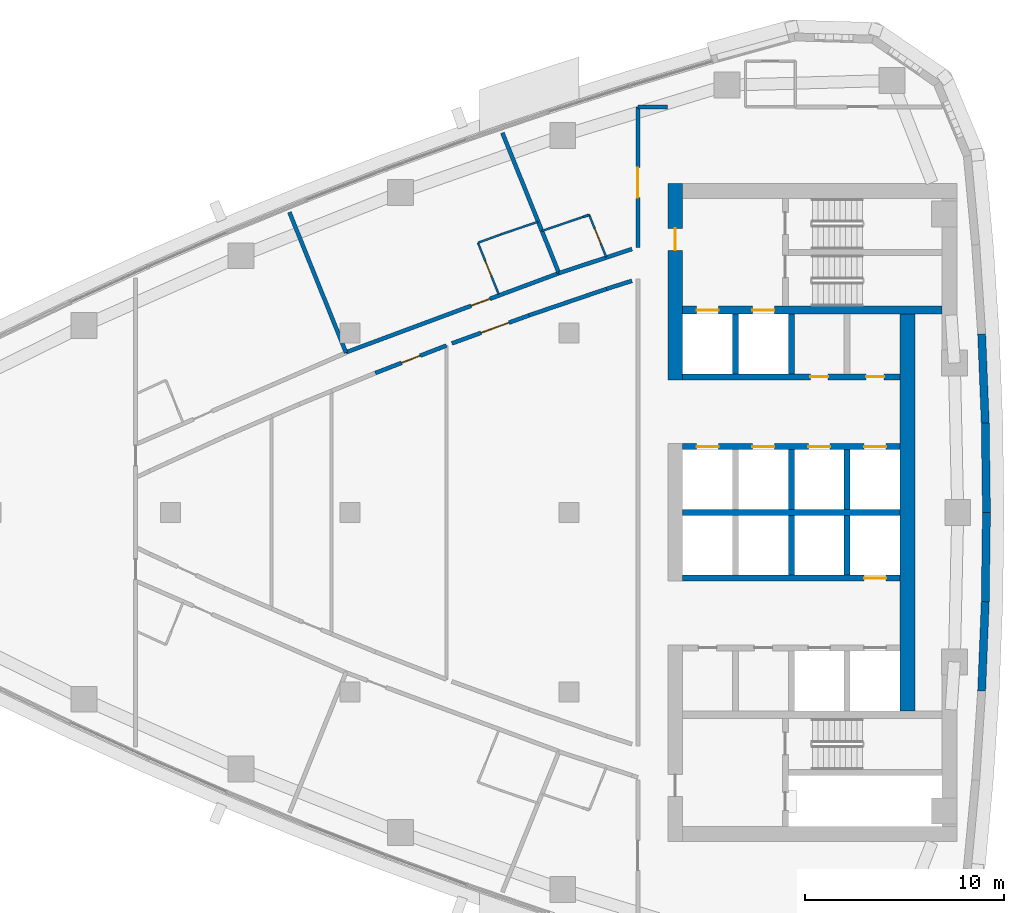
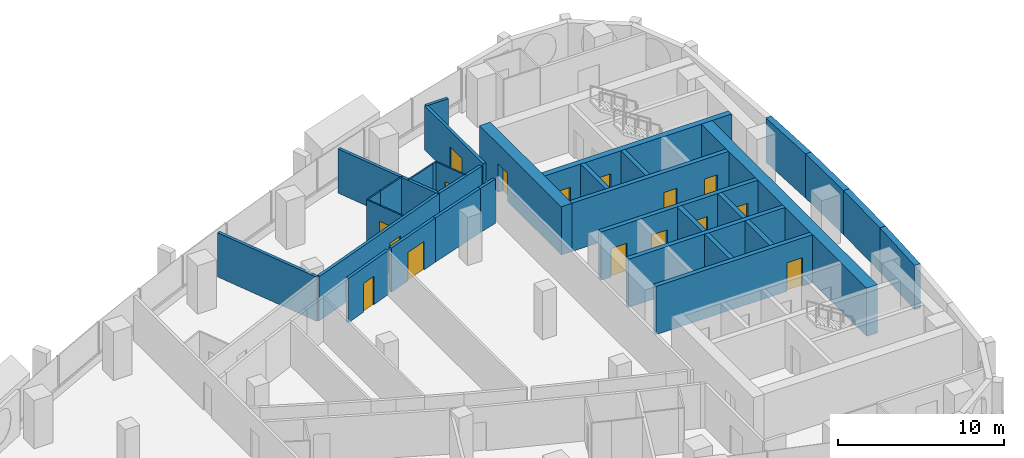
# One storey, part 11 of 16: 33 walls, 16 doors, 16 openings.
"""IFC4 building model written with IfcOpenShell, lengths in metres."""

import ifcopenshell
import ifcopenshell.guid

model = None  # the IFC model being written
_history = None  # IfcOwnerHistory: only IFC2X3 demands one
_inside = {}  # id of a spatial element -> (the spatial element, [elements in it])
_under = {}  # id of a project, library or spatial element -> (it, [spatial elements below it])
_declared = {}  # id of a project -> (the project, [libraries it declares])
_typed = {}  # id of a type object -> (the type object, [elements of that type])
_made_of = {}  # id of a material, layer set ... -> (it, [elements and type objects made of it])


def new_model(schema):
    """Start an empty IFC model of exactly this schema.

    Asked for "IFC4X3", IfcOpenShell would pick the latest addendum, in which some entities
    have other attributes; the version numbers below select the first issue.
    IFC2X3 requires an IfcOwnerHistory on every rooted entity: one is made here for all.
    """
    global model, _history
    if schema == "IFC4X3":
        model = ifcopenshell.file(schema_version=(4, 3, 0, 0))
    else:
        model = ifcopenshell.file(schema=schema)
    _inside.clear()
    _under.clear()
    _declared.clear()
    _typed.clear()
    _made_of.clear()
    _history = None
    if model.schema == "IFC2X3":
        org = make("IfcOrganization", Name="unknown")
        user = make(
            "IfcPersonAndOrganization",
            ThePerson=make("IfcPerson", FamilyName="unknown"),
            TheOrganization=org,
        )
        app = make(
            "IfcApplication",
            ApplicationDeveloper=org,
            Version="unknown",
            ApplicationFullName="unknown",
            ApplicationIdentifier="unknown",
        )
        _history = make(
            "IfcOwnerHistory",
            OwningUser=user,
            OwningApplication=app,
            ChangeAction="ADDED",
            CreationDate=0,
        )
    return model


def make(cls, **values):
    """One entity of the class cls with the attributes given. An attribute that is None is left unset."""
    return model.create_entity(
        cls, **{name: value for name, value in values.items() if value is not None}
    )


def rooted(cls, **values):
    """An entity with a GlobalId (a new one), such as an element, a storey or a relation."""
    return make(cls, GlobalId=ifcopenshell.guid.new(), OwnerHistory=_history, **values)


def si_unit(unit_type, name, prefix=None):
    """IfcSIUnit, for example si_unit("LENGTHUNIT", "METRE", prefix="MILLI")."""
    return make("IfcSIUnit", UnitType=unit_type, Prefix=prefix, Name=name)


def assignment(units):
    """IfcUnitAssignment: the units of a project."""
    return None if units is None else make("IfcUnitAssignment", Units=units)


def point(xyz):
    """IfcCartesianPoint."""
    return None if xyz is None else make("IfcCartesianPoint", Coordinates=xyz)


def direction(xyz):
    """IfcDirection."""
    return None if xyz is None else make("IfcDirection", DirectionRatios=xyz)


def frame(location, z_axis=None, x_axis=None):
    """IfcAxis2Placement3D, a coordinate frame: its origin and axes. An axis left out is left unset."""
    return make(
        "IfcAxis2Placement3D",
        Location=point(location),
        Axis=direction(z_axis),
        RefDirection=direction(x_axis),
    )


def frame_2d(location, x_axis=None):
    """IfcAxis2Placement2D, a coordinate frame in the plane: its origin and x axis."""
    return make(
        "IfcAxis2Placement2D", Location=point(location), RefDirection=direction(x_axis)
    )


def origin():
    """The frame at (0, 0, 0) with its axes left unset."""
    return frame((0.0, 0.0, 0.0))


def place(relative_to, where):
    """IfcLocalPlacement: puts the frame where relative to a parent placement (None: the world)."""
    return make(
        "IfcLocalPlacement", PlacementRelTo=relative_to, RelativePlacement=where
    )


def context(
    kind, dimensions, precision=None, world=None, true_north=None, identifier=None
):
    """IfcGeometricRepresentationContext, for example the 3D "Model" context."""
    return make(
        "IfcGeometricRepresentationContext",
        ContextIdentifier=identifier,
        ContextType=kind,
        CoordinateSpaceDimension=dimensions,
        Precision=precision,
        WorldCoordinateSystem=world,
        TrueNorth=true_north,
    )


def subcontext(parent, identifier, kind, view, scale=None):
    """IfcGeometricRepresentationSubContext, for example "Body" below "Model"."""
    return make(
        "IfcGeometricRepresentationSubContext",
        ContextIdentifier=identifier,
        ContextType=kind,
        ParentContext=parent,
        TargetScale=scale,
        TargetView=view,
    )


def project(units=None, contexts=None):
    """IfcProject with its units and contexts."""
    return rooted(
        "IfcProject",
        Name="project",
        RepresentationContexts=contexts,
        UnitsInContext=assignment(units),
    )


def spatial(cls, under=None, at=None, **own):
    """A site, building, storey or space (cls), placed at a placement, below another one or the project."""
    s = rooted(cls, ObjectPlacement=at, **own)
    if under is not None:
        _under.setdefault(under.id(), (under, []))[1].append(s)
    return s


def polyline(points):
    """IfcPolyline through the points."""
    return make("IfcPolyline", Points=[point(p) for p in points])


def profile(cls, at=None, kind="AREA", **sizes):
    """A parametric profile (cls). Its sizes go by their IFC names, for example OverallWidth=200.0."""
    return make(cls, ProfileType=kind, Position=at, **sizes)


def rectangle(**sizes):
    """IfcRectangleProfileDef."""
    return profile("IfcRectangleProfileDef", **sizes)


def outline(outer, holes=None, kind="AREA"):
    """IfcArbitraryClosedProfileDef: a profile drawn as a closed curve; with holes, ...WithVoids."""
    if holes is None:
        return make("IfcArbitraryClosedProfileDef", ProfileType=kind, OuterCurve=outer)
    return make(
        "IfcArbitraryProfileDefWithVoids",
        ProfileType=kind,
        OuterCurve=outer,
        InnerCurves=holes,
    )


def extrude(swept, where, along, depth):
    """IfcExtrudedAreaSolid: the profile swept, set in the frame where, extruded along a direction by depth."""
    return make(
        "IfcExtrudedAreaSolid",
        SweptArea=swept,
        Position=where,
        ExtrudedDirection=direction(along),
        Depth=depth,
    )


def shape(context_of_items, identifier, shape_type, items):
    """IfcShapeRepresentation: the items that make up one representation, for example the "Body"."""
    return make(
        "IfcShapeRepresentation",
        ContextOfItems=context_of_items,
        RepresentationIdentifier=identifier,
        RepresentationType=shape_type,
        Items=items,
    )


def material(Name=None, Category=None):
    """IfcMaterial."""
    return make("IfcMaterial", Name=Name, Category=Category)


def layer(
    of_material, thickness, ventilated=None, Name=None, Category=None, Priority=None
):
    """IfcMaterialLayer: one layer of a wall or slab, of a material (None: an air gap)."""
    return make(
        "IfcMaterialLayer",
        Material=of_material,
        LayerThickness=thickness,
        IsVentilated=ventilated,
        Name=Name,
        Category=Category,
        Priority=Priority,
    )


def layer_set(layers, Name=None):
    """IfcMaterialLayerSet."""
    return make("IfcMaterialLayerSet", MaterialLayers=layers, LayerSetName=Name)


def made_of(thing, what):
    """Note that an element or type object is made of a material, layer set ...; save() writes the relation."""
    if what is not None:
        _made_of.setdefault(what.id(), (what, []))[1].append(thing)
    return thing


def type_object(cls, material=None, **own):
    """A type object (cls), such as IfcWallType, which elements share."""
    return made_of(rooted(cls, **own), material)


def element(
    cls,
    number,
    at=None,
    inside=None,
    cuts=None,
    type_object=None,
    material=None,
    context=None,
    identifier="Body",
    shape_type=None,
    held_by="IfcProductDefinitionShape",
    body=None,
    shapes=None,
    **own,
):
    """One element of the class cls, such as IfcWall. Its Tag is "e" and its number.

    at: its placement. inside: the storey or other place that contains it. cuts: it is an
    opening in that element (IfcRelVoidsElement). A single representation is given by context,
    identifier, shape_type and body (its items); several are given by shapes. held_by: the class
    of the entity that holds the representations. save() writes the other relations.
    """
    e = rooted(cls, Tag="e%d" % number, ObjectPlacement=at, **own)
    if body is not None:
        shapes = [shape(context, identifier, shape_type, body)]
    if shapes is not None:
        e.Representation = make(held_by, Representations=shapes)
    if inside is not None:
        _inside.setdefault(inside.id(), (inside, []))[1].append(e)
    if cuts is not None:
        rooted(
            "IfcRelVoidsElement", RelatingBuildingElement=cuts, RelatedOpeningElement=e
        )
    if type_object is not None:
        _typed.setdefault(type_object.id(), (type_object, []))[1].append(e)
    return made_of(e, material)


def fill(opening, filler):
    """IfcRelFillsElement: the door or window that sits in an opening."""
    return rooted(
        "IfcRelFillsElement",
        RelatingOpeningElement=opening,
        RelatedBuildingElement=filler,
    )


def aggregate(whole, parts):
    """IfcRelAggregates: a whole, such as a stair, and the parts it consists of."""
    return rooted("IfcRelAggregates", RelatingObject=whole, RelatedObjects=parts)


def save(model, path):
    """Write the relations noted so far, then the file.

    IfcRelAggregates (storeys below a building ...), IfcRelContainedInSpatialStructure (elements
    in a storey), IfcRelDefinesByType, IfcRelAssociatesMaterial and IfcRelDeclares: one each for
    every whole, place, type object, material and project.
    """
    for whole, parts in _under.values():
        aggregate(whole, parts)
    for where, things in _inside.values():
        rooted(
            "IfcRelContainedInSpatialStructure",
            RelatedElements=things,
            RelatingStructure=where,
        )
    for kind, things in _typed.values():
        rooted("IfcRelDefinesByType", RelatedObjects=things, RelatingType=kind)
    for what, things in _made_of.values():
        rooted("IfcRelAssociatesMaterial", RelatedObjects=things, RelatingMaterial=what)
    for by, libraries in _declared.values():
        rooted("IfcRelDeclares", RelatingContext=by, RelatedDefinitions=libraries)
    model.write(path)


model = new_model("IFC4")

# Units and contexts
model_context = context("Model", 3, precision=1e-05, world=origin(), true_north=direction((0.0, 1.0)))
body_context = subcontext(model_context, "Body", "Model", "MODEL_VIEW")
ifc_project = project(units=[si_unit("LENGTHUNIT", "METRE"), si_unit("AREAUNIT", "SQUARE_METRE"), si_unit("VOLUMEUNIT", "CUBIC_METRE"), si_unit("PLANEANGLEUNIT", "RADIAN"), si_unit("MASSUNIT", "GRAM", prefix="KILO")], contexts=[model_context])

# Site, building, storey
site_placement = place(None, origin())
site = spatial("IfcSite", under=ifc_project, at=site_placement, CompositionType="ELEMENT")
building_placement = place(site_placement, origin())
building = spatial("IfcBuilding", under=site, at=building_placement, Name="Ostrand Prow Hotel Tower", CompositionType="ELEMENT")
storey_placement = place(building_placement, frame((0.0, 0.0, 189.699951171875)))
storey = spatial("IfcBuildingStorey", under=building, at=storey_placement, Name="L47", CompositionType="ELEMENT", Elevation=189.699951171875)

# Wall
ifc_material_1 = material(Name="Concrete C60/75", Category="concrete")
ifc_layer_1 = layer(ifc_material_1, 0.300048828125)
ifc_layer_set_1 = layer_set([ifc_layer_1], Name="Concrete C60/75")
wall_type_1 = type_object("IfcWallType", Name="Core wall 300 C60/75", PredefinedType="SHEAR", material=ifc_layer_set_1)
wall_1_placement = place(storey_placement, frame((50.699951171875, 0.0, 0.0), z_axis=(0.0, 0.0, 1.0), x_axis=(1.0, 0.0, 0.0)))
element("IfcWall", 1, at=wall_1_placement, inside=storey, type_object=wall_type_1, Name="Core wall PW-C", PredefinedType="SHEAR", context=body_context, shape_type="SweptSolid", body=[
    extrude(rectangle(XDim=10.900146484375, YDim=0.300048828125, at=frame_2d((5.4501953125, 0.0))), origin(), (0.0, 0.0, 1.0), 3.550048828125),
])

# Wall, openings, doors
wall_2_placement = place(storey_placement, frame((50.699951171875, 3.300048828125, 0.0), z_axis=(0.0, 0.0, 1.0), x_axis=(1.0, 0.0, 0.0)))
wall_2 = element("IfcWall", 2, at=wall_2_placement, inside=storey, type_object=wall_type_1, Name="Core wall PW-L1-N", PredefinedType="SHEAR", context=body_context, shape_type="SweptSolid", body=[
    extrude(rectangle(XDim=10.900146484375, YDim=0.300048828125, at=frame_2d((5.4501953125, 0.0))), origin(), (0.0, 0.0, 1.0), 3.550048828125),
])
opening_1_placement = place(wall_2_placement, frame((0.699951171875, 0.0, 0.0)))
opening_1 = element("IfcOpeningElement", 3, at=opening_1_placement, cuts=wall_2, Name="Opening LD", PredefinedType="OPENING", context=body_context, shape_type="SweptSolid", body=[
    extrude(rectangle(XDim=1.10009765625, YDim=2.10009765625, at=frame_2d((0.550048828125, 1.050048828125))), frame((0.0, 0.159912109375, 0.0), z_axis=(0.0, -1.0, 0.0), x_axis=(1.0, 0.0, 0.0)), (0.0, 0.0, 1.0), 0.320068359375),
])
opening_2_placement = place(wall_2_placement, frame((3.5, 0.0, 0.0)))
opening_2 = element("IfcOpeningElement", 4, at=opening_2_placement, cuts=wall_2, Name="Opening LD", PredefinedType="OPENING", context=body_context, shape_type="SweptSolid", body=[
    extrude(rectangle(XDim=1.10009765625, YDim=2.10009765625, at=frame_2d((0.550048828125, 1.050048828125))), frame((0.0, 0.159912109375, 0.0), z_axis=(0.0, -1.0, 0.0), x_axis=(1.0, 0.0, 0.0)), (0.0, 0.0, 1.0), 0.320068359375),
])
opening_3_placement = place(wall_2_placement, frame((6.300048828125, 0.0, 0.0)))
opening_3 = element("IfcOpeningElement", 5, at=opening_3_placement, cuts=wall_2, Name="Opening LD", PredefinedType="OPENING", context=body_context, shape_type="SweptSolid", body=[
    extrude(rectangle(XDim=1.10009765625, YDim=2.10009765625, at=frame_2d((0.550048828125, 1.050048828125))), frame((0.0, 0.159912109375, 0.0), z_axis=(0.0, -1.0, 0.0), x_axis=(1.0, 0.0, 0.0)), (0.0, 0.0, 1.0), 0.320068359375),
])
opening_4_placement = place(wall_2_placement, frame((9.10009765625, 0.0, 0.0)))
opening_4 = element("IfcOpeningElement", 6, at=opening_4_placement, cuts=wall_2, Name="Opening LD", PredefinedType="OPENING", context=body_context, shape_type="SweptSolid", body=[
    extrude(rectangle(XDim=1.10009765625, YDim=2.10009765625, at=frame_2d((0.550048828125, 1.050048828125))), frame((0.0, 0.159912109375, 0.0), z_axis=(0.0, -1.0, 0.0), x_axis=(1.0, 0.0, 0.0)), (0.0, 0.0, 1.0), 0.320068359375),
])
ifc_material_2 = material(Name="Stainless steel door", Category="steel")
door_type_1 = type_object("IfcDoorType", Name="Lift landing door 1100", OperationType="DOUBLE_DOOR_SLIDING", PredefinedType="DOOR", material=ifc_material_2)
door_1_placement = place(opening_1_placement, origin())
door_1 = element("IfcDoor", 7, at=door_1_placement, inside=storey, type_object=door_type_1, Name="LIFT LANDING DOOR", OperationType="DOUBLE_DOOR_SLIDING", OverallHeight=2.10009765625, OverallWidth=1.10009765625, PredefinedType="DOOR", context=body_context, shape_type="SweptSolid", body=[
    extrude(rectangle(XDim=1.10009765625, YDim=2.10009765625, at=frame_2d((0.550048828125, 1.050048828125))), frame((0.0, 0.02490234375, 0.0), z_axis=(0.0, -1.0, 0.0), x_axis=(1.0, 0.0, 0.0)), (0.0, 0.0, 1.0), 0.050048828125),
])
fill(opening_1, door_1)
door_2_placement = place(opening_2_placement, origin())
door_2 = element("IfcDoor", 8, at=door_2_placement, inside=storey, type_object=door_type_1, Name="LIFT LANDING DOOR", OperationType="DOUBLE_DOOR_SLIDING", OverallHeight=2.10009765625, OverallWidth=1.10009765625, PredefinedType="DOOR", context=body_context, shape_type="SweptSolid", body=[
    extrude(rectangle(XDim=1.10009765625, YDim=2.10009765625, at=frame_2d((0.550048828125, 1.050048828125))), frame((0.0, 0.02490234375, 0.0), z_axis=(0.0, -1.0, 0.0), x_axis=(1.0, 0.0, 0.0)), (0.0, 0.0, 1.0), 0.050048828125),
])
fill(opening_2, door_2)
door_3_placement = place(opening_3_placement, origin())
door_3 = element("IfcDoor", 9, at=door_3_placement, inside=storey, type_object=door_type_1, Name="LIFT LANDING DOOR", OperationType="DOUBLE_DOOR_SLIDING", OverallHeight=2.10009765625, OverallWidth=1.10009765625, PredefinedType="DOOR", context=body_context, shape_type="SweptSolid", body=[
    extrude(rectangle(XDim=1.10009765625, YDim=2.10009765625, at=frame_2d((0.550048828125, 1.050048828125))), frame((0.0, 0.02490234375, 0.0), z_axis=(0.0, -1.0, 0.0), x_axis=(1.0, 0.0, 0.0)), (0.0, 0.0, 1.0), 0.050048828125),
])
fill(opening_3, door_3)
door_4_placement = place(opening_4_placement, origin())
door_4 = element("IfcDoor", 10, at=door_4_placement, inside=storey, type_object=door_type_1, Name="LIFT LANDING DOOR", OperationType="DOUBLE_DOOR_SLIDING", OverallHeight=2.10009765625, OverallWidth=1.10009765625, PredefinedType="DOOR", context=body_context, shape_type="SweptSolid", body=[
    extrude(rectangle(XDim=1.10009765625, YDim=2.10009765625, at=frame_2d((0.550048828125, 1.050048828125))), frame((0.0, 0.02490234375, 0.0), z_axis=(0.0, -1.0, 0.0), x_axis=(1.0, 0.0, 0.0)), (0.0, 0.0, 1.0), 0.050048828125),
])
fill(opening_4, door_4)

wall_3_placement = place(storey_placement, frame((50.699951171875, 6.800048828125, 0.0), z_axis=(0.0, 0.0, 1.0), x_axis=(1.0, 0.0, 0.0)))
wall_3 = element("IfcWall", 11, at=wall_3_placement, inside=storey, type_object=wall_type_1, Name="Core wall PW-L2-N", PredefinedType="SHEAR", context=body_context, shape_type="SweptSolid", body=[
    extrude(rectangle(XDim=10.900146484375, YDim=0.300048828125, at=frame_2d((5.4501953125, 0.0))), origin(), (0.0, 0.0, 1.0), 3.550048828125),
])
opening_5_placement = place(wall_3_placement, frame((6.39990234375, 0.0, 0.0)))
opening_5 = element("IfcOpeningElement", 12, at=opening_5_placement, cuts=wall_3, Name="Opening FD2", PredefinedType="OPENING", context=body_context, shape_type="SweptSolid", body=[
    extrude(rectangle(XDim=0.89990234375, YDim=2.10009765625, at=frame_2d((0.449951171875, 1.050048828125))), frame((0.0, 0.159912109375, 0.0), z_axis=(0.0, -1.0, 0.0), x_axis=(1.0, 0.0, 0.0)), (0.0, 0.0, 1.0), 0.320068359375),
])
opening_6_placement = place(wall_3_placement, frame((9.199951171875, 0.0, 0.0)))
opening_6 = element("IfcOpeningElement", 13, at=opening_6_placement, cuts=wall_3, Name="Opening FD2", PredefinedType="OPENING", context=body_context, shape_type="SweptSolid", body=[
    extrude(rectangle(XDim=0.89990234375, YDim=2.10009765625, at=frame_2d((0.449951171875, 1.050048828125))), frame((0.0, 0.159912109375, 0.0), z_axis=(0.0, -1.0, 0.0), x_axis=(1.0, 0.0, 0.0)), (0.0, 0.0, 1.0), 0.320068359375),
])
ifc_material_3 = material(Name="Steel fire door", Category="steel")
door_type_2 = type_object("IfcDoorType", Name="Fire door 900 EI120", OperationType="SINGLE_SWING_LEFT", PredefinedType="DOOR", material=ifc_material_3)
door_5_placement = place(opening_5_placement, origin())
door_5 = element("IfcDoor", 14, at=door_5_placement, inside=storey, type_object=door_type_2, Name="DOOR", OperationType="SINGLE_SWING_LEFT", OverallHeight=2.10009765625, OverallWidth=0.89990234375, PredefinedType="DOOR", context=body_context, shape_type="SweptSolid", body=[
    extrude(rectangle(XDim=0.89990234375, YDim=2.10009765625, at=frame_2d((0.449951171875, 1.050048828125))), frame((0.0, 0.02490234375, 0.0), z_axis=(0.0, -1.0, 0.0), x_axis=(1.0, 0.0, 0.0)), (0.0, 0.0, 1.0), 0.050048828125),
])
fill(opening_5, door_5)
door_6_placement = place(opening_6_placement, origin())
door_6 = element("IfcDoor", 15, at=door_6_placement, inside=storey, type_object=door_type_2, Name="DOOR", OperationType="SINGLE_SWING_LEFT", OverallHeight=2.10009765625, OverallWidth=0.89990234375, PredefinedType="DOOR", context=body_context, shape_type="SweptSolid", body=[
    extrude(rectangle(XDim=0.89990234375, YDim=2.10009765625, at=frame_2d((0.449951171875, 1.050048828125))), frame((0.0, 0.02490234375, 0.0), z_axis=(0.0, -1.0, 0.0), x_axis=(1.0, 0.0, 0.0)), (0.0, 0.0, 1.0), 0.050048828125),
])
fill(opening_6, door_6)

# Walls
for number, where, z_axis, x_axis, name in (
    (16, (53.35009765625, 6.949951171875, 0.0), (0.0, 0.0, 1.0), (0.0, 1.0, 0.0), "Core wall PW-R1-NA"),
    (17, (56.14990234375, 0.14990234375, 0.0), (0.0, 0.0, 1.0), (0.0, 1.0, 0.0), "Core wall PW-R2-NB"),
    (18, (56.14990234375, 6.949951171875, 0.0), (0.0, 0.0, 1.0), (0.0, 1.0, 0.0), "Core wall PW-R2-NA"),
    (19, (58.949951171875, 0.14990234375, 0.0), (0.0, 0.0, 1.0), (0.0, 1.0, 0.0), "Core wall PW-R3-NB"),
):
    element("IfcWall", number, at=place(storey_placement, frame(where, z_axis=z_axis, x_axis=x_axis)), inside=storey, type_object=wall_type_1, Name=name, PredefinedType="SHEAR", context=body_context, shape_type="SweptSolid", body=[
        extrude(rectangle(XDim=3.0, YDim=0.300048828125, at=frame_2d((1.5, 0.0))), origin(), (0.0, 0.0, 1.0), 3.550048828125),
    ])

# Wall, opening, door
wall_4_placement = place(storey_placement, frame((50.699951171875, -3.300048828125, 0.0), z_axis=(0.0, 0.0, 1.0), x_axis=(1.0, 0.0, 0.0)))
wall_4 = element("IfcWall", 20, at=wall_4_placement, inside=storey, type_object=wall_type_1, Name="Core wall PW-L1-S", PredefinedType="SHEAR", context=body_context, shape_type="SweptSolid", body=[
    extrude(rectangle(XDim=10.900146484375, YDim=0.300048828125, at=frame_2d((5.4501953125, 0.0))), origin(), (0.0, 0.0, 1.0), 3.550048828125),
])
opening_7_placement = place(wall_4_placement, frame((9.10009765625, 0.0, 0.0)))
opening_7 = element("IfcOpeningElement", 21, at=opening_7_placement, cuts=wall_4, Name="Opening LD", PredefinedType="OPENING", context=body_context, shape_type="SweptSolid", body=[
    extrude(rectangle(XDim=1.10009765625, YDim=2.10009765625, at=frame_2d((0.550048828125, 1.050048828125))), frame((0.0, 0.159912109375, 0.0), z_axis=(0.0, -1.0, 0.0), x_axis=(1.0, 0.0, 0.0)), (0.0, 0.0, 1.0), 0.320068359375),
])
door_7_placement = place(opening_7_placement, origin())
door_7 = element("IfcDoor", 22, at=door_7_placement, inside=storey, type_object=door_type_1, Name="LIFT LANDING DOOR", OperationType="DOUBLE_DOOR_SLIDING", OverallHeight=2.10009765625, OverallWidth=1.10009765625, PredefinedType="DOOR", context=body_context, shape_type="SweptSolid", body=[
    extrude(rectangle(XDim=1.10009765625, YDim=2.10009765625, at=frame_2d((0.550048828125, 1.050048828125))), frame((0.0, 0.02490234375, 0.0), z_axis=(0.0, -1.0, 0.0), x_axis=(1.0, 0.0, 0.0)), (0.0, 0.0, 1.0), 0.050048828125),
])
fill(opening_7, door_7)

# Walls
for number, where, z_axis, x_axis, name in (
    (23, (56.14990234375, -3.14990234375, 0.0), (0.0, 0.0, 1.0), (0.0, 1.0, 0.0), "Core wall PW-R2-SB"),
    (24, (58.949951171875, -3.14990234375, 0.0), (0.0, 0.0, 1.0), (0.0, 1.0, 0.0), "Core wall PW-R3-SB"),
):
    element("IfcWall", number, at=place(storey_placement, frame(where, z_axis=z_axis, x_axis=x_axis)), inside=storey, type_object=wall_type_1, Name=name, PredefinedType="SHEAR", context=body_context, shape_type="SweptSolid", body=[
        extrude(rectangle(XDim=3.0, YDim=0.300048828125, at=frame_2d((1.5, 0.0))), origin(), (0.0, 0.0, 1.0), 3.550048828125),
    ])

# Wall, openings, doors
ifc_material_4 = material(Name="Concrete C60/75", Category="concrete")
ifc_layer_2 = layer(ifc_material_4, 0.39990234375)
ifc_layer_set_2 = layer_set([ifc_layer_2], Name="Concrete C60/75")
wall_type_2 = type_object("IfcWallType", Name="Core wall 400 C60/75", PredefinedType="SHEAR", material=ifc_layer_set_2)
wall_5_placement = place(storey_placement, frame((50.699951171875, 10.14990234375, 0.0), z_axis=(0.0, 0.0, 1.0), x_axis=(1.0, 0.0, 0.0)))
wall_5 = element("IfcWall", 25, at=wall_5_placement, inside=storey, type_object=wall_type_2, Name="Core wall PW-BN", PredefinedType="SHEAR", context=body_context, shape_type="SweptSolid", body=[
    extrude(rectangle(XDim=13.02001953125, YDim=0.39990234375, at=frame_2d((6.510009765625, 0.0))), origin(), (0.0, 0.0, 1.0), 3.550048828125),
])
opening_8_placement = place(wall_5_placement, frame((0.699951171875, 0.0, 0.0)))
opening_8 = element("IfcOpeningElement", 26, at=opening_8_placement, cuts=wall_5, Name="Opening LD", PredefinedType="OPENING", context=body_context, shape_type="SweptSolid", body=[
    extrude(rectangle(XDim=1.10009765625, YDim=2.10009765625, at=frame_2d((0.550048828125, 1.050048828125))), frame((0.0, 0.2099609375, 0.0), z_axis=(0.0, -1.0, 0.0), x_axis=(1.0, 0.0, 0.0)), (0.0, 0.0, 1.0), 0.419921875),
])
opening_9_placement = place(wall_5_placement, frame((3.5, 0.0, 0.0)))
opening_9 = element("IfcOpeningElement", 27, at=opening_9_placement, cuts=wall_5, Name="Opening LD", PredefinedType="OPENING", context=body_context, shape_type="SweptSolid", body=[
    extrude(rectangle(XDim=1.10009765625, YDim=2.10009765625, at=frame_2d((0.550048828125, 1.050048828125))), frame((0.0, 0.2099609375, 0.0), z_axis=(0.0, -1.0, 0.0), x_axis=(1.0, 0.0, 0.0)), (0.0, 0.0, 1.0), 0.419921875),
])
door_8_placement = place(opening_8_placement, origin())
door_8 = element("IfcDoor", 28, at=door_8_placement, inside=storey, type_object=door_type_1, Name="LIFT LANDING DOOR", OperationType="DOUBLE_DOOR_SLIDING", OverallHeight=2.10009765625, OverallWidth=1.10009765625, PredefinedType="DOOR", context=body_context, shape_type="SweptSolid", body=[
    extrude(rectangle(XDim=1.10009765625, YDim=2.10009765625, at=frame_2d((0.550048828125, 1.050048828125))), frame((0.0, 0.02490234375, 0.0), z_axis=(0.0, -1.0, 0.0), x_axis=(1.0, 0.0, 0.0)), (0.0, 0.0, 1.0), 0.050048828125),
])
fill(opening_8, door_8)
door_9_placement = place(opening_9_placement, origin())
door_9 = element("IfcDoor", 29, at=door_9_placement, inside=storey, type_object=door_type_1, Name="LIFT LANDING DOOR", OperationType="DOUBLE_DOOR_SLIDING", OverallHeight=2.10009765625, OverallWidth=1.10009765625, PredefinedType="DOOR", context=body_context, shape_type="SweptSolid", body=[
    extrude(rectangle(XDim=1.10009765625, YDim=2.10009765625, at=frame_2d((0.550048828125, 1.050048828125))), frame((0.0, 0.02490234375, 0.0), z_axis=(0.0, -1.0, 0.0), x_axis=(1.0, 0.0, 0.0)), (0.0, 0.0, 1.0), 0.050048828125),
])
fill(opening_9, door_9)

# Wall, opening, door
ifc_material_5 = material(Name="Concrete C60/75", Category="concrete")
ifc_layer_3 = layer(ifc_material_5, 0.75)
ifc_layer_set_3 = layer_set([ifc_layer_3], Name="Concrete C60/75")
wall_type_3 = type_object("IfcWallType", Name="Core wall 750 C60/75", PredefinedType="SHEAR", material=ifc_layer_set_3)
wall_6_placement = place(storey_placement, frame((50.324951171875, 6.64990234375, 0.0), z_axis=(0.0, 0.0, 1.0), x_axis=(0.0, 1.0, 0.0)))
wall_6 = element("IfcWall", 30, at=wall_6_placement, inside=storey, type_object=wall_type_3, Name="Core wall CW-W-N", PredefinedType="SHEAR", context=body_context, shape_type="SweptSolid", body=[
    extrude(rectangle(XDim=9.85009765625, YDim=0.75, at=frame_2d((4.925048828125, 0.0))), origin(), (0.0, 0.0, 1.0), 3.550048828125),
])
opening_10_placement = place(wall_6_placement, frame((6.5, 0.0, 0.0)))
opening_10 = element("IfcOpeningElement", 31, at=opening_10_placement, cuts=wall_6, Name="Opening FD1", PredefinedType="OPENING", context=body_context, shape_type="SweptSolid", body=[
    extrude(rectangle(XDim=1.10009765625, YDim=2.10009765625, at=frame_2d((0.550048828125, 1.050048828125))), frame((0.0, 0.385009765625, 0.0), z_axis=(0.0, -1.0, 0.0), x_axis=(1.0, 0.0, 0.0)), (0.0, 0.0, 1.0), 0.77001953125),
])
ifc_material_6 = material(Name="Steel fire door", Category="steel")
door_type_3 = type_object("IfcDoorType", Name="Fire door 1100 EI120", OperationType="SINGLE_SWING_RIGHT", PredefinedType="DOOR", material=ifc_material_6)
door_10_placement = place(opening_10_placement, origin())
door_10 = element("IfcDoor", 32, at=door_10_placement, inside=storey, type_object=door_type_3, Name="FIRE DOOR", OperationType="SINGLE_SWING_RIGHT", OverallHeight=2.10009765625, OverallWidth=1.10009765625, PredefinedType="DOOR", context=body_context, shape_type="SweptSolid", body=[
    extrude(rectangle(XDim=1.10009765625, YDim=2.10009765625, at=frame_2d((0.550048828125, 1.050048828125))), frame((0.0, 0.02490234375, 0.0), z_axis=(0.0, -1.0, 0.0), x_axis=(1.0, 0.0, 0.0)), (0.0, 0.0, 1.0), 0.050048828125),
])
fill(opening_10, door_10)

# Walls
wall_7_placement = place(storey_placement, frame((61.97509765625, -9.949951171875, 0.0), z_axis=(0.0, 0.0, 1.0), x_axis=(0.0, 1.0, 0.0)))
element("IfcWall", 33, at=wall_7_placement, inside=storey, type_object=wall_type_3, Name="Core wall CW-E-C", PredefinedType="SHEAR", context=body_context, shape_type="SweptSolid", body=[
    extrude(rectangle(XDim=19.89990234375, YDim=0.75, at=frame_2d((9.949951171875, 0.0))), origin(), (0.0, 0.0, 1.0), 3.550048828125),
])
ifc_material_7 = material(Name="Plasterboard partition")
ifc_layer_4 = layer(ifc_material_7, 0.10009765625)
ifc_layer_set_4 = layer_set([ifc_layer_4], Name="Plasterboard partition")
wall_type_4 = type_object("IfcWallType", Name="Partition 100 bathroom wall", PredefinedType="PARTITIONING", material=ifc_layer_set_4)
wall_8_placement = place(storey_placement, frame((40.425537109375, 13.531982421875, 0.0), z_axis=(0.0, 0.0, 1.0), x_axis=(0.939781557461, 0.341775692897, 0.0)))
element("IfcWall", 34, at=wall_8_placement, inside=storey, type_object=wall_type_4, Name="BATHROOM WALL", PredefinedType="PARTITIONING", context=body_context, shape_type="SweptSolid", body=[
    extrude(rectangle(XDim=1.201416015625, YDim=0.10009765625, at=frame_2d((0.6005859375, 0.0))), origin(), (0.0, 0.0, 1.0), 3.25),
])
wall_9_placement = place(storey_placement, frame((41.554931640625, 13.942626953125, 0.0), z_axis=(0.0, 0.0, 1.0), x_axis=(0.94641533286, 0.322952036265, 0.0)))
element("IfcWall", 35, at=wall_9_placement, inside=storey, type_object=wall_type_4, Name="BATHROOM WALL", PredefinedType="PARTITIONING", context=body_context, shape_type="SweptSolid", body=[
    extrude(rectangle(XDim=2.001708984375, YDim=0.10009765625, at=frame_2d((1.0009765625, 0.0))), origin(), (0.0, 0.0, 1.0), 3.25),
])

# Wall, opening, door
wall_10_placement = place(storey_placement, frame((41.46435546875, 10.954833984375, 0.0), z_axis=(0.0, 0.0, 1.0), x_axis=(-0.373889095325, 0.927473419779, 0.0)))
wall_10 = element("IfcWall", 36, at=wall_10_placement, inside=storey, type_object=wall_type_4, Name="BATHROOM WALL", PredefinedType="PARTITIONING", context=body_context, shape_type="SweptSolid", body=[
    extrude(rectangle(XDim=2.7783203125, YDim=0.10009765625, at=frame_2d((1.38916015625, 0.0))), origin(), (0.0, 0.0, 1.0), 3.25),
])
opening_11_placement = place(wall_10_placement, frame((1.0, 0.0, 0.0)))
opening_11 = element("IfcOpeningElement", 37, at=opening_11_placement, cuts=wall_10, Name="Opening D2", PredefinedType="OPENING", context=body_context, shape_type="SweptSolid", body=[
    extrude(rectangle(XDim=0.800048828125, YDim=2.10009765625, at=frame_2d((0.39990234375, 1.050048828125))), frame((0.0, 0.06005859375, 0.0), z_axis=(0.0, -1.0, 0.0), x_axis=(1.0, 0.0, 0.0)), (0.0, 0.0, 1.0), 0.1201171875),
])
ifc_material_8 = material(Name="Timber door leaf", Category="wood")
door_type_4 = type_object("IfcDoorType", Name="Bathroom door 800", OperationType="SINGLE_SWING_LEFT", PredefinedType="DOOR", material=ifc_material_8)
door_11_placement = place(opening_11_placement, origin())
door_11 = element("IfcDoor", 38, at=door_11_placement, inside=storey, type_object=door_type_4, Name="DOOR", OperationType="SINGLE_SWING_LEFT", OverallHeight=2.10009765625, OverallWidth=0.800048828125, PredefinedType="DOOR", context=body_context, shape_type="SweptSolid", body=[
    extrude(rectangle(XDim=0.800048828125, YDim=2.10009765625, at=frame_2d((0.39990234375, 1.050048828125))), frame((0.0, 0.02490234375, 0.0), z_axis=(0.0, -1.0, 0.0), x_axis=(1.0, 0.0, 0.0)), (0.0, 0.0, 1.0), 0.050048828125),
])
fill(opening_11, door_11)

# Walls
wall_11_placement = place(storey_placement, frame((43.63671875, 14.124755859375, 0.0), z_axis=(0.0, 0.0, 1.0), x_axis=(0.946442988685, 0.322870979136, 0.0)))
element("IfcWall", 39, at=wall_11_placement, inside=storey, type_object=wall_type_4, Name="BATHROOM WALL", PredefinedType="PARTITIONING", context=body_context, shape_type="SweptSolid", body=[
    extrude(rectangle(XDim=2.16943359375, YDim=0.10009765625, at=frame_2d((1.084716796875, 0.0))), origin(), (0.0, 0.0, 1.0), 3.25),
])
wall_12_placement = place(storey_placement, frame((45.68994140625, 14.8251953125, 0.0), z_axis=(0.0, 0.0, 1.0), x_axis=(0.952618746207, 0.304166935045, 0.0)))
element("IfcWall", 40, at=wall_12_placement, inside=storey, type_object=wall_type_4, Name="BATHROOM WALL", PredefinedType="PARTITIONING", context=body_context, shape_type="SweptSolid", body=[
    extrude(rectangle(XDim=0.334716796875, YDim=0.10009765625, at=frame_2d((0.16748046875, 0.0))), origin(), (0.0, 0.0, 1.0), 3.25),
])

# Wall, opening, door
wall_13_placement = place(storey_placement, frame((46.0087890625, 14.927001953125, 0.0), z_axis=(0.0, 0.0, 1.0), x_axis=(0.373877855241, -0.927477950876, 0.0)))
wall_13 = element("IfcWall", 41, at=wall_13_placement, inside=storey, type_object=wall_type_4, Name="BATHROOM WALL", PredefinedType="PARTITIONING", context=body_context, shape_type="SweptSolid", body=[
    extrude(rectangle(XDim=2.283447265625, YDim=0.10009765625, at=frame_2d((1.1416015625, 0.0))), origin(), (0.0, 0.0, 1.0), 3.25),
])
opening_12_placement = place(wall_13_placement, frame((0.75, 0.0, 0.0)))
opening_12 = element("IfcOpeningElement", 42, at=opening_12_placement, cuts=wall_13, Name="Opening D2", PredefinedType="OPENING", context=body_context, shape_type="SweptSolid", body=[
    extrude(rectangle(XDim=0.800048828125, YDim=2.10009765625, at=frame_2d((0.39990234375, 1.050048828125))), frame((0.0, 0.06005859375, 0.0), z_axis=(0.0, -1.0, 0.0), x_axis=(1.0, 0.0, 0.0)), (0.0, 0.0, 1.0), 0.1201171875),
])
door_12_placement = place(opening_12_placement, origin())
door_12 = element("IfcDoor", 43, at=door_12_placement, inside=storey, type_object=door_type_4, Name="DOOR", OperationType="SINGLE_SWING_LEFT", OverallHeight=2.10009765625, OverallWidth=0.800048828125, PredefinedType="DOOR", context=body_context, shape_type="SweptSolid", body=[
    extrude(rectangle(XDim=0.800048828125, YDim=2.10009765625, at=frame_2d((0.39990234375, 1.050048828125))), frame((0.0, 0.02490234375, 0.0), z_axis=(0.0, -1.0, 0.0), x_axis=(1.0, 0.0, 0.0)), (0.0, 0.0, 1.0), 0.050048828125),
])
fill(opening_12, door_12)

ifc_material_9 = material(Name="Plasterboard partition")
ifc_layer_5 = layer(ifc_material_9, 0.199951171875)
ifc_layer_set_5 = layer_set([ifc_layer_5], Name="Plasterboard partition")
wall_type_5 = type_object("IfcWallType", Name="Partition 200 corridor wall", PredefinedType="PARTITIONING", material=ifc_layer_set_5)
wall_14_placement = place(storey_placement, frame((44.490478515625, 12.007080078125, 0.0), z_axis=(0.0, 0.0, 1.0), x_axis=(-0.937301234234, -0.348520295396, 0.0)))
wall_14 = element("IfcWall", 44, at=wall_14_placement, inside=storey, type_object=wall_type_5, Name="CORRIDOR WALL", PredefinedType="PARTITIONING", context=body_context, shape_type="SweptSolid", body=[
    extrude(rectangle(XDim=11.404296875, YDim=0.199951171875, at=frame_2d((5.7021484375, 0.0))), origin(), (0.0, 0.0, 1.0), 3.25),
])
opening_13_placement = place(wall_14_placement, frame((3.699951171875, 0.0, 0.0)))
opening_13 = element("IfcOpeningElement", 45, at=opening_13_placement, cuts=wall_14, Name="Opening D1R", PredefinedType="OPENING", context=body_context, shape_type="SweptSolid", body=[
    extrude(rectangle(XDim=1.0, YDim=2.10009765625, at=frame_2d((0.5, 1.050048828125))), frame((0.0, 0.10986328125, 0.0), z_axis=(0.0, -1.0, 0.0), x_axis=(1.0, 0.0, 0.0)), (0.0, 0.0, 1.0), 0.219970703125),
])
ifc_material_10 = material(Name="Timber door leaf", Category="wood")
door_type_5 = type_object("IfcDoorType", Name="Guest room door 1000 right", OperationType="SINGLE_SWING_RIGHT", PredefinedType="DOOR", material=ifc_material_10)
door_13_placement = place(opening_13_placement, origin())
door_13 = element("IfcDoor", 46, at=door_13_placement, inside=storey, type_object=door_type_5, Name="DOOR", OperationType="SINGLE_SWING_RIGHT", OverallHeight=2.10009765625, OverallWidth=1.0, PredefinedType="DOOR", context=body_context, shape_type="SweptSolid", body=[
    extrude(rectangle(XDim=1.0, YDim=2.10009765625, at=frame_2d((0.5, 1.050048828125))), frame((0.0, 0.02490234375, 0.0), z_axis=(0.0, -1.0, 0.0), x_axis=(1.0, 0.0, 0.0)), (0.0, 0.0, 1.0), 0.050048828125),
])
fill(opening_13, door_13)

wall_15_placement = place(storey_placement, frame((35.275634765625, 6.994384765625, 0.0), z_axis=(0.0, 0.0, 1.0), x_axis=(0.932681040007, 0.360702200731, 0.0)))
wall_15 = element("IfcWall", 47, at=wall_15_placement, inside=storey, type_object=wall_type_5, Name="CORRIDOR WALL", PredefinedType="PARTITIONING", context=body_context, shape_type="SweptSolid", body=[
    extrude(rectangle(XDim=3.824951171875, YDim=0.199951171875, at=frame_2d((1.91259765625, 0.0))), origin(), (0.0, 0.0, 1.0), 3.25),
])
opening_14_placement = place(wall_15_placement, frame((1.41259765625, 0.0, 0.0)))
opening_14 = element("IfcOpeningElement", 48, at=opening_14_placement, cuts=wall_15, Name="Opening D1", PredefinedType="OPENING", context=body_context, shape_type="SweptSolid", body=[
    extrude(rectangle(XDim=1.0, YDim=2.10009765625, at=frame_2d((0.5, 1.050048828125))), frame((0.0, 0.10986328125, 0.0), z_axis=(0.0, -1.0, 0.0), x_axis=(1.0, 0.0, 0.0)), (0.0, 0.0, 1.0), 0.219970703125),
])
ifc_material_11 = material(Name="Timber door leaf", Category="wood")
door_type_6 = type_object("IfcDoorType", Name="Guest room door 1000", OperationType="SINGLE_SWING_LEFT", PredefinedType="DOOR", material=ifc_material_11)
door_14_placement = place(opening_14_placement, origin())
door_14 = element("IfcDoor", 49, at=door_14_placement, inside=storey, type_object=door_type_6, Name="DOOR", OperationType="SINGLE_SWING_LEFT", OverallHeight=2.10009765625, OverallWidth=1.0, PredefinedType="DOOR", context=body_context, shape_type="SweptSolid", body=[
    extrude(rectangle(XDim=1.0, YDim=2.10009765625, at=frame_2d((0.5, 1.050048828125))), frame((0.0, 0.02490234375, 0.0), z_axis=(0.0, -1.0, 0.0), x_axis=(1.0, 0.0, 0.0)), (0.0, 0.0, 1.0), 0.050048828125),
])
fill(opening_14, door_14)

wall_16_placement = place(storey_placement, frame((39.115478515625, 8.4794921875, 0.0), z_axis=(0.0, 0.0, 1.0), x_axis=(0.939727613335, 0.341923986779, 0.0)))
wall_16 = element("IfcWall", 50, at=wall_16_placement, inside=storey, type_object=wall_type_5, Name="CORRIDOR WALL", PredefinedType="PARTITIONING", context=body_context, shape_type="SweptSolid", body=[
    extrude(rectangle(XDim=4.116943359375, YDim=0.199951171875, at=frame_2d((2.05859375, 0.0))), origin(), (0.0, 0.0, 1.0), 3.25),
])
opening_15_placement = place(wall_16_placement, frame((1.55859375, 0.0, 0.0)))
opening_15 = element("IfcOpeningElement", 51, at=opening_15_placement, cuts=wall_16, Name="Opening D15", PredefinedType="OPENING", context=body_context, shape_type="SweptSolid", body=[
    extrude(rectangle(XDim=1.5, YDim=2.10009765625, at=frame_2d((0.75, 1.050048828125))), frame((0.0, 0.10986328125, 0.0), z_axis=(0.0, -1.0, 0.0), x_axis=(1.0, 0.0, 0.0)), (0.0, 0.0, 1.0), 0.219970703125),
])
ifc_material_12 = material(Name="Timber door leaf", Category="wood")
door_type_7 = type_object("IfcDoorType", Name="Double door 1500", OperationType="DOUBLE_DOOR_SINGLE_SWING", PredefinedType="DOOR", material=ifc_material_12)
door_15_placement = place(opening_15_placement, origin())
door_15 = element("IfcDoor", 52, at=door_15_placement, inside=storey, type_object=door_type_7, Name="DOOR", OperationType="DOUBLE_DOOR_SINGLE_SWING", OverallHeight=2.10009765625, OverallWidth=1.5, PredefinedType="DOOR", context=body_context, shape_type="SweptSolid", body=[
    extrude(rectangle(XDim=1.5, YDim=2.10009765625, at=frame_2d((0.75, 1.050048828125))), frame((0.0, 0.02490234375, 0.0), z_axis=(0.0, -1.0, 0.0), x_axis=(1.0, 0.0, 0.0)), (0.0, 0.0, 1.0), 0.050048828125),
])
fill(opening_15, door_15)

# Walls
wall_17_placement = place(storey_placement, frame((42.984375, 9.88720703125, 0.0), z_axis=(0.0, 0.0, 1.0), x_axis=(0.946436071896, 0.322891253852, 0.0)))
element("IfcWall", 53, at=wall_17_placement, inside=storey, type_object=wall_type_5, Name="CORRIDOR WALL", PredefinedType="PARTITIONING", context=body_context, shape_type="SweptSolid", body=[
    extrude(rectangle(XDim=4.116943359375, YDim=0.199951171875, at=frame_2d((2.05859375, 0.0))), origin(), (0.0, 0.0, 1.0), 3.25),
])
wall_18_placement = place(storey_placement, frame((48.14990234375, 13.21337890625, 0.0), z_axis=(0.0, 0.0, 1.0), x_axis=(-0.949729856115, -0.313070599711, 0.0)))
element("IfcWall", 54, at=wall_18_placement, inside=storey, type_object=wall_type_5, Name="CORRIDOR WALL", PredefinedType="PARTITIONING", context=body_context, shape_type="SweptSolid", body=[
    extrude(rectangle(XDim=3.85302734375, YDim=0.199951171875, at=frame_2d((1.926513671875, 0.0))), origin(), (0.0, 0.0, 1.0), 3.25),
])
wall_19_placement = place(storey_placement, frame((46.880859375, 11.216552734375, 0.0), z_axis=(0.0, 0.0, 1.0), x_axis=(0.952761948983, 0.303718074157, 0.0)))
element("IfcWall", 55, at=wall_19_placement, inside=storey, type_object=wall_type_5, Name="CORRIDOR WALL", PredefinedType="PARTITIONING", context=body_context, shape_type="SweptSolid", body=[
    extrude(rectangle(XDim=1.33203125, YDim=0.199951171875, at=frame_2d((0.666015625, 0.0))), origin(), (0.0, 0.0, 1.0), 3.25),
])

# Wall, opening, door
wall_20_placement = place(storey_placement, frame((48.445068359375, 20.35107421875, 0.0), z_axis=(0.0, 0.0, 1.0), x_axis=(0.0, -1.0, 0.0)))
wall_20 = element("IfcWall", 56, at=wall_20_placement, inside=storey, type_object=wall_type_5, Name="CORRIDOR WALL", PredefinedType="PARTITIONING", context=body_context, shape_type="SweptSolid", body=[
    extrude(rectangle(XDim=7.05615234375, YDim=0.199951171875, at=frame_2d((3.528076171875, 0.0))), origin(), (0.0, 0.0, 1.0), 3.25),
])
opening_16_placement = place(wall_20_placement, frame((3.050048828125, 0.0, 0.0)))
opening_16 = element("IfcOpeningElement", 57, at=opening_16_placement, cuts=wall_20, Name="Opening D15", PredefinedType="OPENING", context=body_context, shape_type="SweptSolid", body=[
    extrude(rectangle(XDim=1.5, YDim=2.10009765625, at=frame_2d((0.75, 1.050048828125))), frame((0.0, 0.10986328125, 0.0), z_axis=(0.0, -1.0, 0.0), x_axis=(1.0, 0.0, 0.0)), (0.0, 0.0, 1.0), 0.219970703125),
])
door_16_placement = place(opening_16_placement, origin())
door_16 = element("IfcDoor", 58, at=door_16_placement, inside=storey, type_object=door_type_7, Name="DOOR", OperationType="DOUBLE_DOOR_SINGLE_SWING", OverallHeight=2.10009765625, OverallWidth=1.5, PredefinedType="DOOR", context=body_context, shape_type="SweptSolid", body=[
    extrude(rectangle(XDim=1.5, YDim=2.10009765625, at=frame_2d((0.75, 1.050048828125))), frame((0.0, 0.02490234375, 0.0), z_axis=(0.0, -1.0, 0.0), x_axis=(1.0, 0.0, 0.0)), (0.0, 0.0, 1.0), 0.050048828125),
])
fill(opening_16, door_16)

# Walls
wall_21_placement = place(storey_placement, frame((49.945068359375, 20.35498046875, 0.0), z_axis=(0.0, 0.0, 1.0), x_axis=(-0.999996609175, -0.002604157836, 0.0)))
element("IfcWall", 59, at=wall_21_placement, inside=storey, type_object=wall_type_5, Name="CORRIDOR WALL", PredefinedType="PARTITIONING", context=body_context, shape_type="SweptSolid", body=[
    extrude(rectangle(XDim=1.5, YDim=0.199951171875, at=frame_2d((0.75, 0.0))), origin(), (0.0, 0.0, 1.0), 3.25),
])
ifc_material_13 = material(Name="Plasterboard partition")
ifc_layer_6 = layer(ifc_material_13, 0.199951171875)
ifc_layer_set_6 = layer_set([ifc_layer_6], Name="Plasterboard partition")
wall_type_6 = type_object("IfcWallType", Name="Partition 200 key partition", PredefinedType="PARTITIONING", material=ifc_layer_set_6)
wall_22_placement = place(storey_placement, frame((33.80859375, 8.013916015625, 0.0), z_axis=(0.0, 0.0, 1.0), x_axis=(-0.373887223455, 0.927474174378, 0.0)))
element("IfcWall", 60, at=wall_22_placement, inside=storey, type_object=wall_type_6, Name="KEY PARTITION", PredefinedType="PARTITIONING", context=body_context, shape_type="SweptSolid", body=[
    extrude(rectangle(XDim=7.60009765625, YDim=0.199951171875, at=frame_2d((3.800048828125, 0.0))), origin(), (0.0, 0.0, 1.0), 3.25),
])
wall_23_placement = place(storey_placement, frame((44.497802734375, 11.98828125, 0.0), z_axis=(0.0, 0.0, 1.0), x_axis=(-0.373877998371, 0.927477893178, 0.0)))
element("IfcWall", 61, at=wall_23_placement, inside=storey, type_object=wall_type_6, Name="KEY PARTITION", PredefinedType="PARTITIONING", context=body_context, shape_type="SweptSolid", body=[
    extrude(rectangle(XDim=7.611328125, YDim=0.199951171875, at=frame_2d((3.8056640625, 0.0))), origin(), (0.0, 0.0, 1.0), 3.25),
])
ifc_material_14 = material(Name="Precast concrete C40/50", Category="concrete")
ifc_layer_7 = layer(ifc_material_14, 0.39990234375)
ifc_layer_set_7 = layer_set([ifc_layer_7], Name="Precast concrete C40/50")
wall_type_7 = type_object("IfcWallType", Name="Stone-faced precast wall 400 mm", PredefinedType="NOTDEFINED", material=ifc_layer_set_7)
for number, where, z_axis, x_axis, name in (
    (62, (65.700439453125, -8.957763671875, 0.0), (0.0, 0.0, 1.0), (0.040155165338, 0.999193456092, 0.0), "Stone-faced wall back 7"),
    (63, (65.88037109375, -4.48046875, 0.0), (0.0, 0.0, 1.0), (0.013348854104, 0.999910900078, 0.0), "Stone-faced wall back 8"),
    (64, (65.940185546875, 0.0, 0.0), (0.0, 0.0, 1.0), (-0.013348854104, 0.999910900078, 0.0), "Stone-faced wall back 9"),
    (65, (65.88037109375, 4.48046875, 0.0), (0.0, 0.0, 1.0), (-0.040155165338, 0.999193456092, 0.0), "Stone-faced wall back 10"),
):
    element("IfcWall", number, at=place(storey_placement, frame(where, z_axis=z_axis, x_axis=x_axis)), inside=storey, type_object=wall_type_7, Name=name, PredefinedType="NOTDEFINED", context=body_context, shape_type="SweptSolid", body=[
        extrude(outline(polyline([(-0.002685546875, -0.199951171875), (4.483642578125, -0.199951171875), (4.478271484375, 0.199951171875), (0.002685546875, 0.199951171875), (-0.002685546875, -0.199951171875)])), origin(), (0.0, 0.0, 1.0), 3.25),
    ])

save(model, "model.ifc")
